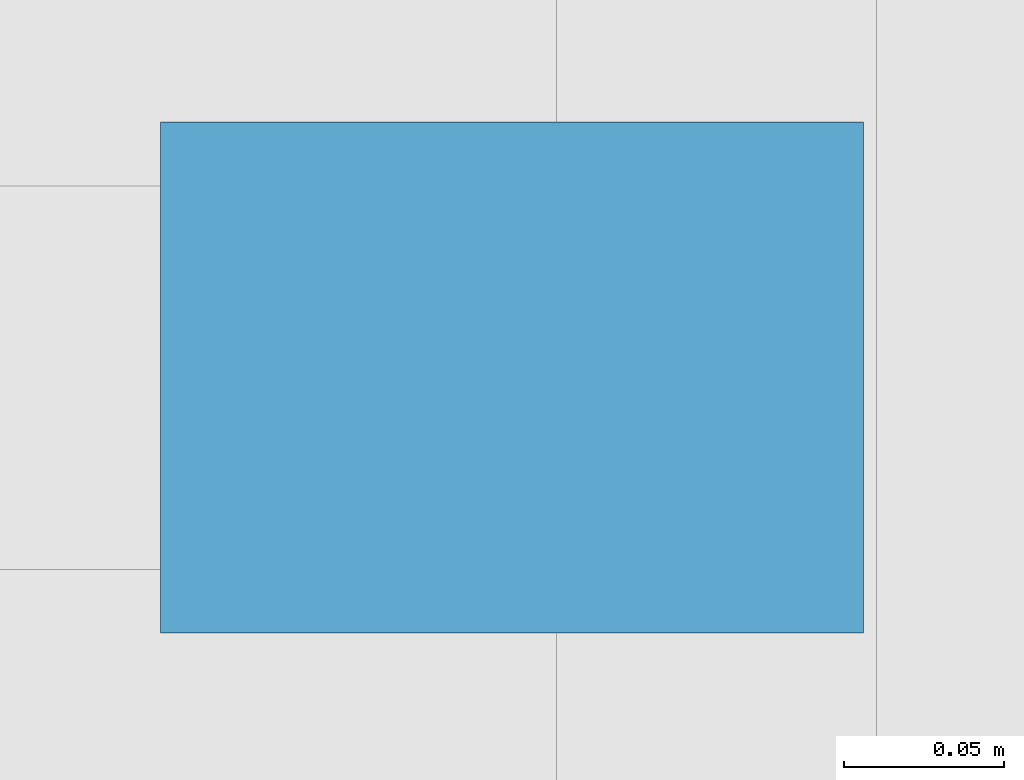
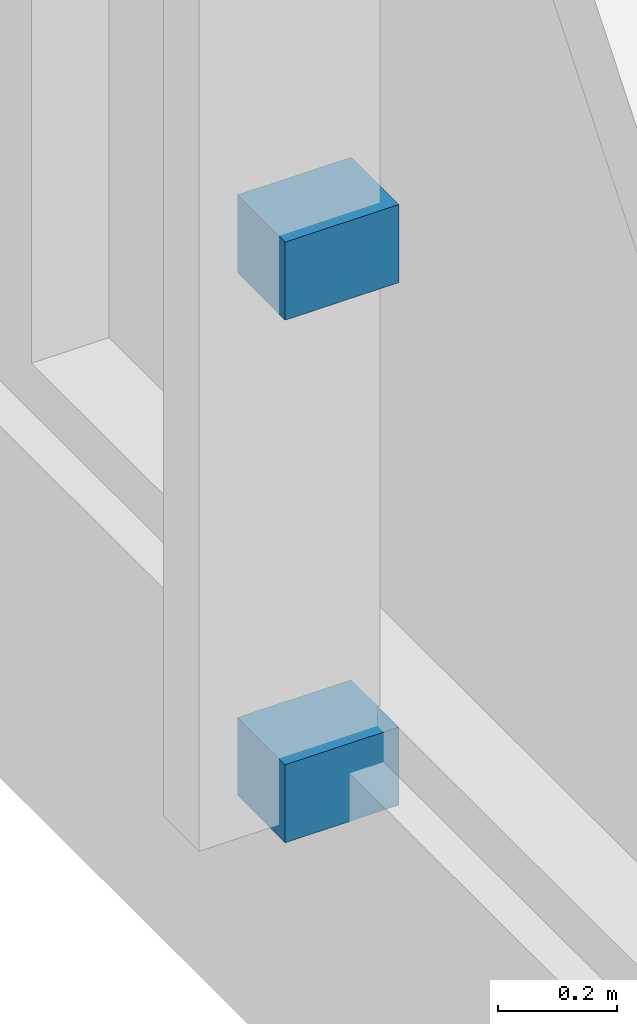
# One storey, part 89 of 97: 2 discrete accessories.
"""IFC4 building model written with IfcOpenShell, lengths in metres."""

from ifc_helpers import new_model, si_unit, direction, frame, origin, origin_2d, place, context, subcontext, project, spatial, rectangle, extrude, material, type_object, element, save


model = new_model("IFC4")

# Units and contexts
model_context = context("Model", 3, precision=1e-05, world=origin(), true_north=direction((0.0, 1.0)))
body_context = subcontext(model_context, "Body", "Model", "MODEL_VIEW")
ifc_project = project(units=[si_unit("LENGTHUNIT", "METRE"), si_unit("AREAUNIT", "SQUARE_METRE"), si_unit("VOLUMEUNIT", "CUBIC_METRE"), si_unit("PLANEANGLEUNIT", "RADIAN"), si_unit("MASSUNIT", "GRAM", prefix="KILO")], contexts=[model_context])

# Site, building, storey
site_placement = place(None, origin())
site = spatial("IfcSite", under=ifc_project, at=site_placement, CompositionType="ELEMENT")
building_placement = place(site_placement, origin())
building = spatial("IfcBuilding", under=site, at=building_placement, Name="Lykobir Media Centre", CompositionType="ELEMENT")
storey_placement = place(building_placement, frame((0.0, 0.0, 23.39990234375)))
storey = spatial("IfcBuildingStorey", under=building, at=storey_placement, Name="L05", CompositionType="ELEMENT", Elevation=23.39990234375)

# Discrete accessories
ifc_material = material(Name="Steel S355", Category="steel")
discrete_accessory_type = type_object("IfcDiscreteAccessoryType", Name="ACC-BRK", PredefinedType="BRACKET", material=ifc_material)
for number, where, z_axis, x_axis, name in (
    (1, (89.739990234375, 58.5, 0.7001953125), (0.0, 0.0, 1.0), (0.0, -1.0, 0.0), "Cumba corbel bracket 171"),
    (2, (89.739990234375, 58.5, 1.77001953125), (0.0, 0.0, 1.0), (0.0, -1.0, 0.0), "Shading fin bracket 172"),
):
    element("IfcDiscreteAccessory", number, at=place(storey_placement, frame(where, z_axis=z_axis, x_axis=x_axis)), inside=storey, type_object=discrete_accessory_type, Name=name, PredefinedType="BRACKET", context=body_context, shape_type="SweptSolid", body=[
        extrude(rectangle(XDim=0.159912109375, YDim=0.219970703125, at=origin_2d()), origin(), (0.0, 0.0, 1.0), 0.159912109375),
    ])

save(model, "model.ifc")
